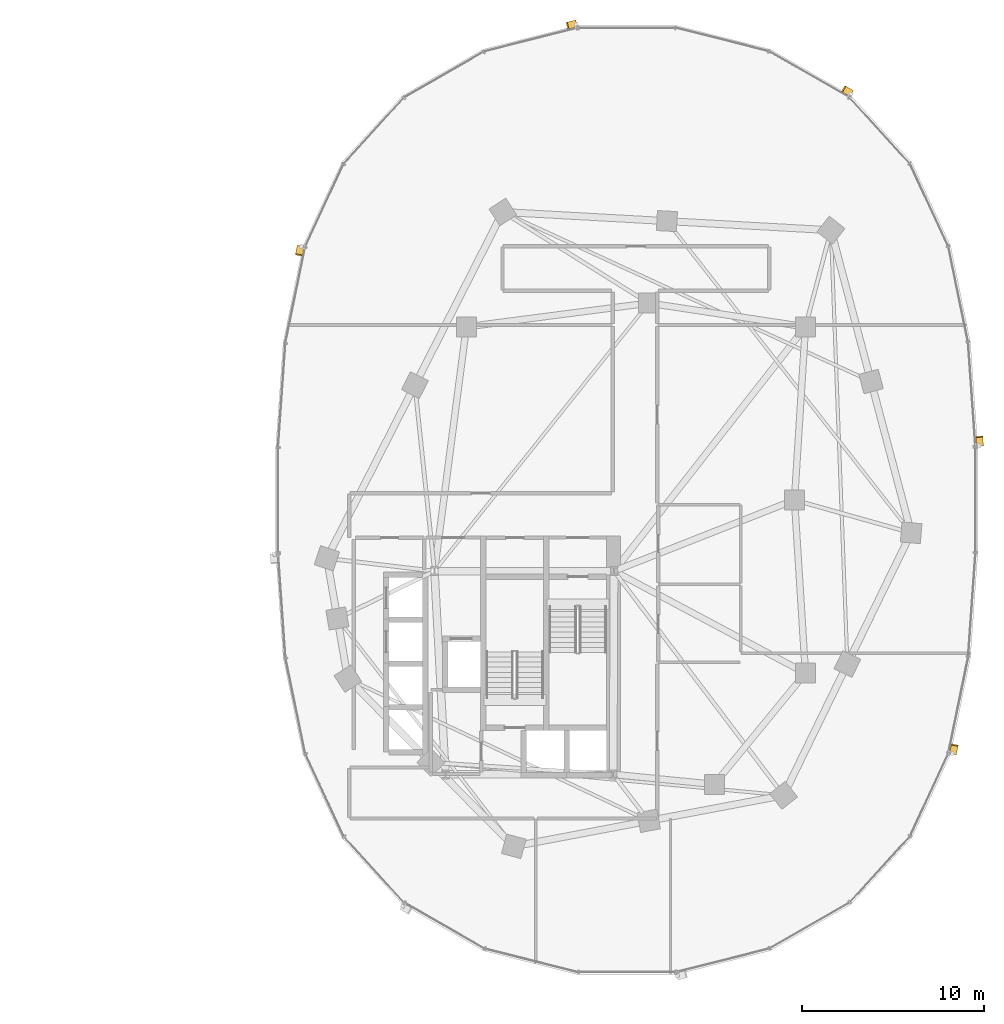
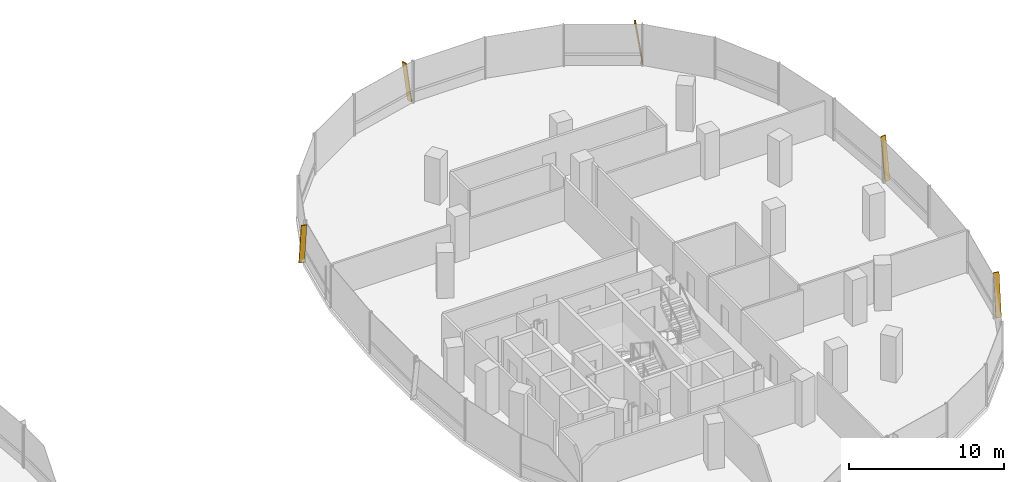
# One storey, part 21 of 21: 5 shading devices.
"""IFC4 building model written with IfcOpenShell, lengths in metres."""

from ifc_helpers import new_model, si_unit, direction, frame, origin, origin_2d, place, context, subcontext, project, spatial, rectangle, extrude, material, material_profile, profile_set, type_object, element, save


model = new_model("IFC4")

# Units and contexts
model_context = context("Model", 3, precision=1e-05, world=origin(), true_north=direction((0.0, 1.0)))
body_context = subcontext(model_context, "Body", "Model", "MODEL_VIEW")
ifc_project = project(units=[si_unit("LENGTHUNIT", "METRE"), si_unit("AREAUNIT", "SQUARE_METRE"), si_unit("VOLUMEUNIT", "CUBIC_METRE"), si_unit("PLANEANGLEUNIT", "RADIAN"), si_unit("MASSUNIT", "GRAM", prefix="KILO"), si_unit("THERMODYNAMICTEMPERATUREUNIT", "KELVIN"), si_unit("POWERUNIT", "WATT")], contexts=[model_context])

# Site, building, storey
site_placement = place(None, origin())
site = spatial("IfcSite", under=ifc_project, at=site_placement, CompositionType="ELEMENT")
building_placement = place(site_placement, origin())
building = spatial("IfcBuilding", under=site, at=building_placement, Name="Cundina Bronze Exchange", CompositionType="ELEMENT")
storey_placement = place(building_placement, frame((0.0, 0.0, 107.0)))
storey = spatial("IfcBuildingStorey", under=building, at=storey_placement, Name="L27", CompositionType="ELEMENT", Elevation=107.0)

# Shading devices
ifc_material = material(Name="Anodised Bronze Aluminium 6063-T6", Category="aluminium")
ifc_material_profile = material_profile(ifc_material, rectangle(XDim=0.070068359375, YDim=0.3798828125, at=origin_2d()), Name="FIN70X380", Category="aluminium")
ifc_profile_set = profile_set([ifc_material_profile], Name="Anodised Bronze Aluminium 6063-T6")
shading_device_type = type_object("IfcShadingDeviceType", Name="SHD-FIN-BRZ380", PredefinedType="USERDEFINED", material=ifc_profile_set)
for number, where, z_axis, x_axis, name in (
    (1, (51.3740234375, 2.993896484375, 0.02001953125), (-0.010224545828, 0.145292278041, 0.989335945271), (0.069450050635, -0.986895284755, 0.145651595925), "L27 Diagonal Bronze Solar Fin 1"),
    (2, (44.314208984375, 22.314208984375, 0.02001953125), (-0.126324692219, 0.072534823274, 0.989333498649), (0.857958278167, -0.492634108109, 0.145668213594), "L27 Diagonal Bronze Solar Fin 5"),
    (3, (29.212646484375, 26.138427734375, 0.02001953125), (-0.141217047268, -0.035711761166, 0.989334329575), (0.95914051701, 0.242552848478, 0.145662570088), "L27 Diagonal Bronze Solar Fin 1"),
    (4, (14.10400390625, 13.911865234375, 0.02001953125), (-0.029413888538, -0.142698109128, 0.989329102378), (0.199728220342, 0.968958570224, 0.145698068578), "L27 Diagonal Bronze Solar Fin 5"),
    (5, (49.89599609375, -13.911865234375, 0.02001953125), (0.029413888538, 0.142698109128, 0.989329102378), (-0.199728220342, -0.968958570224, 0.145698068578), "L27 Diagonal Bronze Solar Fin 5"),
):
    element("IfcShadingDevice", number, at=place(storey_placement, frame(where, z_axis=z_axis, x_axis=x_axis)), inside=storey, type_object=shading_device_type, Name=name, ObjectType="FIN", PredefinedType="USERDEFINED", context=body_context, shape_type="SweptSolid", body=[
        extrude(rectangle(XDim=0.070068359375, YDim=0.3798828125, at=origin_2d()), origin(), (0.0, 0.0, 1.0), 3.295166015625),
    ])

save(model, "model.ifc")
